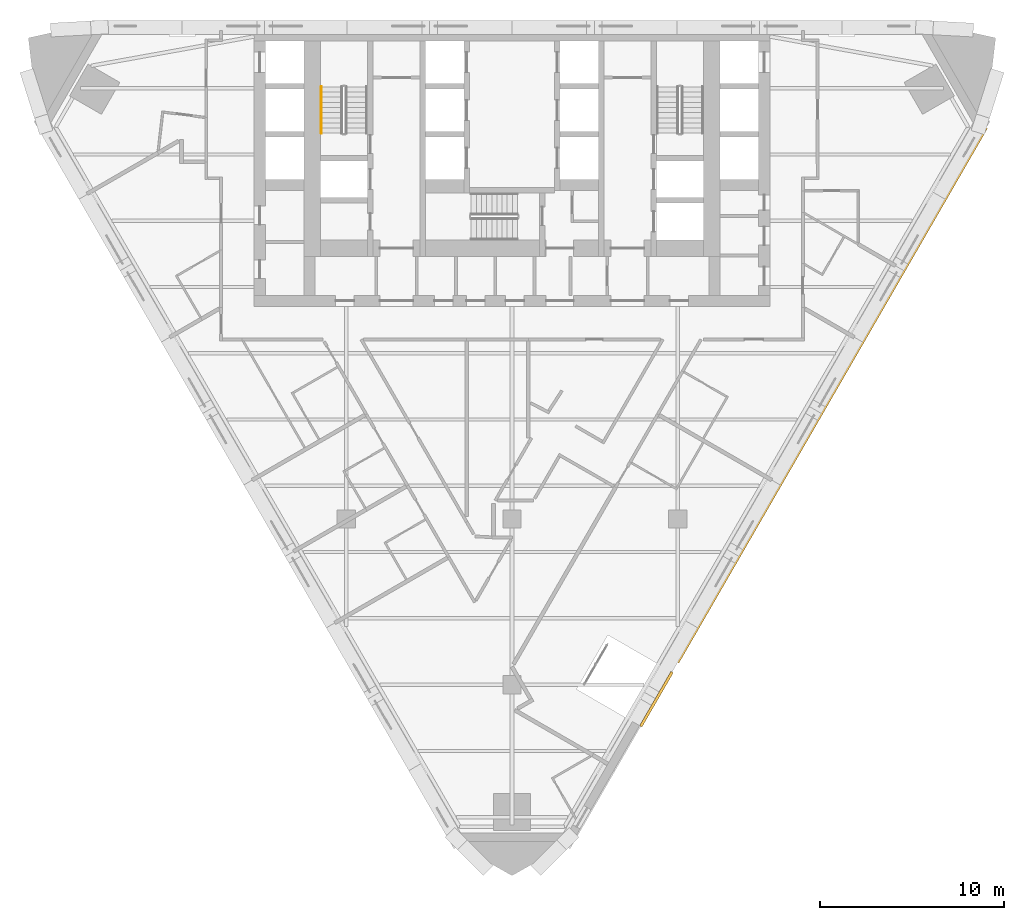
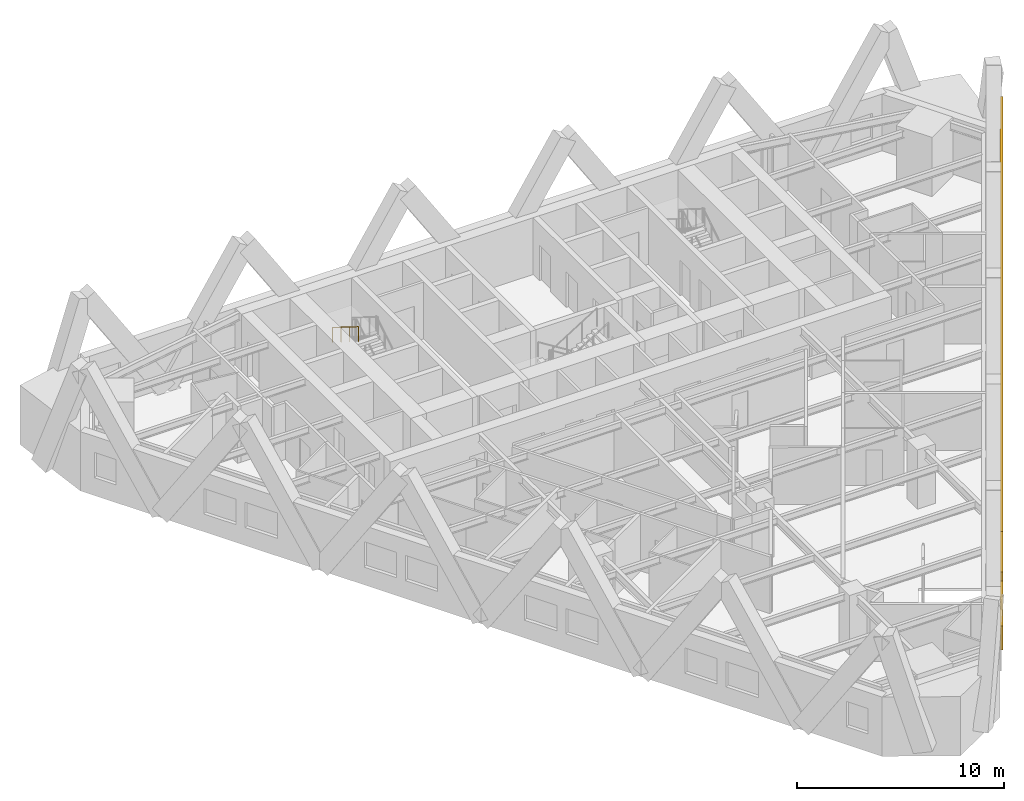
# One storey, part 11 of 12: 2 coverings, 1 railing.
"""IFC4 building model written with IfcOpenShell, lengths in metres."""

from ifc_helpers import new_model, si_unit, direction, frame, origin, origin_2d, place, context, subcontext, project, spatial, polyline, circle, outline, extrude, material, layer, layer_set, type_object, element, save


model = new_model("IFC4")

# Units and contexts
model_context = context("Model", 3, precision=1e-05, world=origin(), true_north=direction((0.0, 1.0)))
body_context = subcontext(model_context, "Body", "Model", "MODEL_VIEW")
ifc_project = project(units=[si_unit("LENGTHUNIT", "METRE"), si_unit("AREAUNIT", "SQUARE_METRE"), si_unit("VOLUMEUNIT", "CUBIC_METRE"), si_unit("PLANEANGLEUNIT", "RADIAN"), si_unit("MASSUNIT", "GRAM", prefix="KILO")], contexts=[model_context])

# Site, building, storey
site_placement = place(None, origin())
site = spatial("IfcSite", under=ifc_project, at=site_placement, CompositionType="ELEMENT")
building_placement = place(site_placement, origin())
building = spatial("IfcBuilding", under=site, at=building_placement, Name="Aloe Facet Convention Tower", CompositionType="ELEMENT")
storey_placement = place(building_placement, frame((0.0, 0.0, 70.0)))
storey = spatial("IfcBuildingStorey", under=building, at=storey_placement, Name="L16", CompositionType="ELEMENT", Elevation=70.0)

# Railing
ifc_material_1 = material(Name="Steel S355 handrail", Category="steel")
railing_type = type_object("IfcRailingType", Name="CR-RL-HAND", PredefinedType="HANDRAIL", material=ifc_material_1)
railing_placement = place(storey_placement, frame((69.64990234375, 131.469970703125, 1.925048828125)))
element("IfcRailing", 1, at=railing_placement, inside=storey, type_object=railing_type, Name="L16 ST1 stair handrail 2", PredefinedType="HANDRAIL", context=body_context, shape_type="SweptSolid", body=[
    extrude(circle(Radius=0.02392578125, at=origin_2d()), frame((0.0, 0.0, 0.8759765625), z_axis=(0.0, -0.848007534815, 0.529984170421), x_axis=(1.0, 0.0, 0.0)), (0.0, 0.0, 1.0), 2.9716796875),
    extrude(circle(Radius=0.02099609375, at=origin_2d()), origin(), (0.0, 0.0, 1.0), 0.851806640625),
    extrude(circle(Radius=0.02099609375, at=origin_2d()), frame((0.0, -0.840087890625, 0.52490234375)), (0.0, 0.0, 1.0), 0.851806640625),
    extrude(circle(Radius=0.02099609375, at=origin_2d()), frame((0.0, -1.679931640625, 1.050048828125)), (0.0, 0.0, 1.0), 0.851806640625),
    extrude(circle(Radius=0.02099609375, at=origin_2d()), frame((0.0, -2.52001953125, 1.574951171875)), (0.0, 0.0, 1.0), 0.851806640625),
])

# Coverings
ifc_material_2 = material(Name="Bronze oxide fascia sheet")
ifc_layer = layer(ifc_material_2, 0.14990234375)
ifc_layer_set = layer_set([ifc_layer], Name="EV-FASCIA-TERR")
covering_type = type_object("IfcCoveringType", Name="EV-FASCIA-TERR", PredefinedType="CLADDING", material=ifc_layer_set)
covering_1_placement = place(storey_placement, frame((0.0, 0.0, 2.800048828125)))
element("IfcCovering", 2, at=covering_1_placement, inside=storey, type_object=covering_type, Name="Terrace fascia T03 head", PredefinedType="CLADDING", context=body_context, shape_type="SweptSolid", body=[
    extrude(outline(polyline([(87.059814453125, 96.69873046875), (88.760009765625, 99.64306640625), (88.6298828125, 99.718017578125), (86.929931640625, 96.773681640625), (87.059814453125, 96.69873046875)])), origin(), (0.0, 0.0, 1.0), 0.550048828125),
])
covering_2_placement = place(storey_placement, frame((89.059814453125, 100.162841796875, -4.050048828125), z_axis=(0.866024366561, -0.500001796519, 0.0), x_axis=(0.486964848141, 0.843443817771, 0.226865076508)))
element("IfcCovering", 3, at=covering_2_placement, inside=storey, type_object=covering_type, Name="Spiral ribbon zone 1 part 10", PredefinedType="CLADDING", context=body_context, shape_type="SweptSolid", body=[
    extrude(outline(polyline([(0.0, 0.0), (34.43784411807094, 1.7763568394002505e-15), (34.75543307038985, 1.3634015657177923), (0.31764433930047736, 1.3636393406682117), (0.0, 0.0)])), origin(), (0.0, 0.0, -1.0), 0.14990234375),
])

save(model, "model.ifc")
